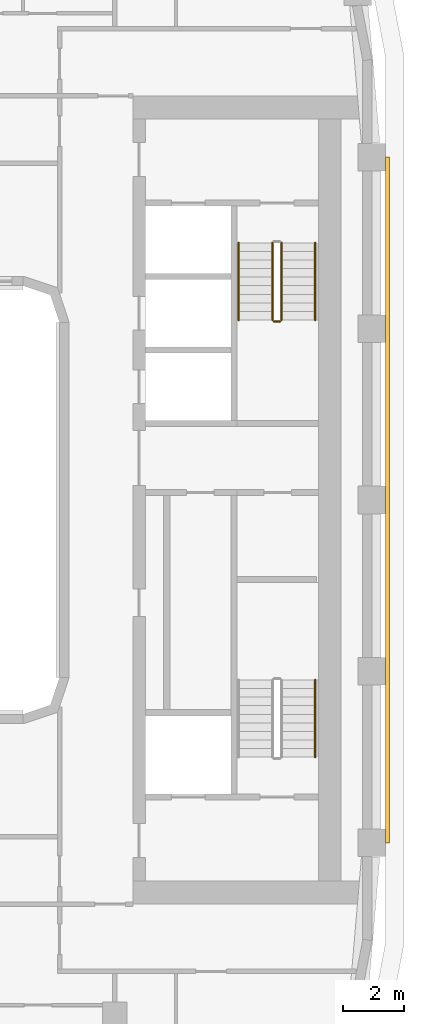
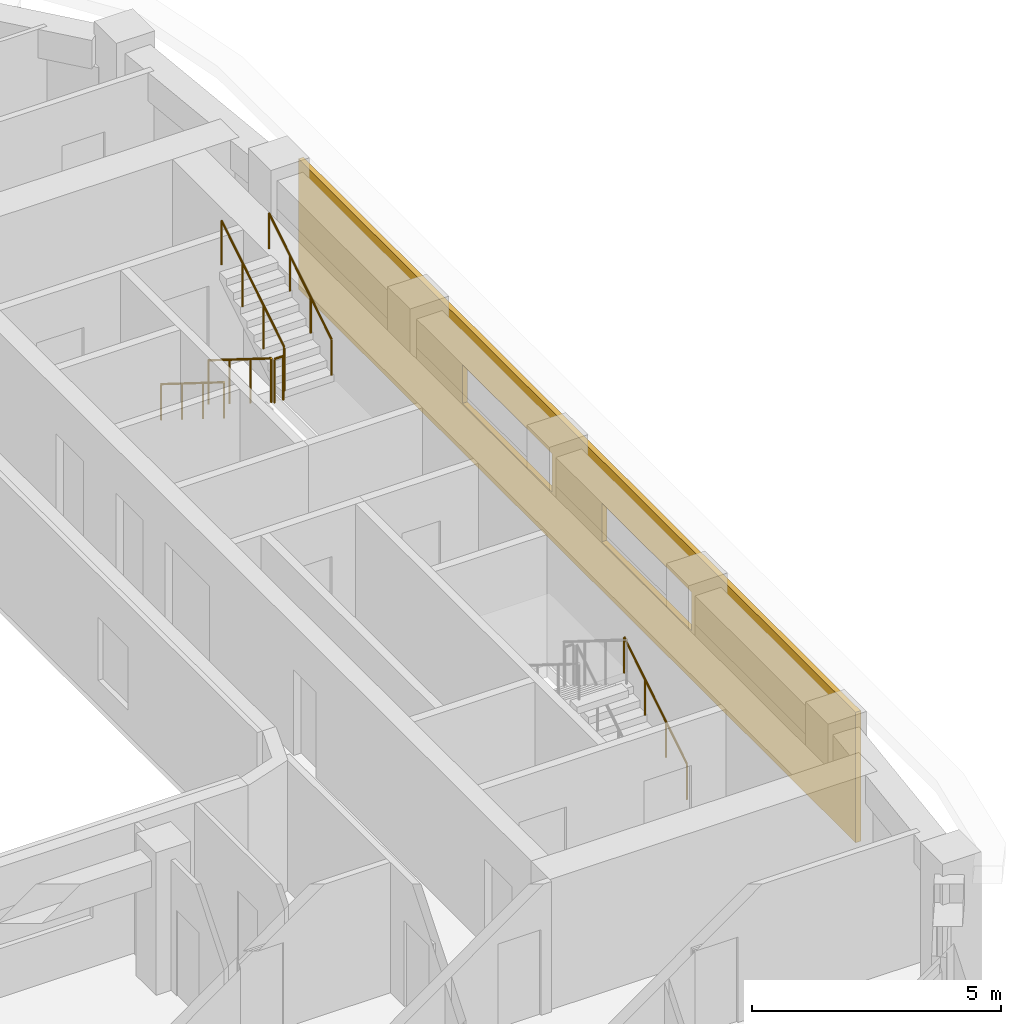
# One storey, part 18 of 21: 6 railings, 1 covering.
"""IFC4 building model written with IfcOpenShell, lengths in metres."""

from ifc_helpers import new_model, si_unit, direction, frame, origin, origin_2d, place, context, subcontext, project, spatial, polyline, circle, outline, extrude, material, layer, layer_set, type_object, element, save


model = new_model("IFC4")

# Units and contexts
model_context = context("Model", 3, precision=1e-05, world=origin(), true_north=direction((0.0, 1.0)))
body_context = subcontext(model_context, "Body", "Model", "MODEL_VIEW")
ifc_project = project(units=[si_unit("LENGTHUNIT", "METRE"), si_unit("AREAUNIT", "SQUARE_METRE"), si_unit("VOLUMEUNIT", "CUBIC_METRE"), si_unit("PLANEANGLEUNIT", "RADIAN"), si_unit("MASSUNIT", "GRAM", prefix="KILO")], contexts=[model_context])

# Site, building, storey
site_placement = place(None, origin())
site = spatial("IfcSite", under=ifc_project, at=site_placement, CompositionType="ELEMENT")
building_placement = place(site_placement, origin())
building = spatial("IfcBuilding", under=site, at=building_placement, Name="Kiln Ring Residences", CompositionType="ELEMENT")
storey_placement = place(building_placement, frame((0.0, 0.0, 202.89990234375)))
storey = spatial("IfcBuildingStorey", under=building, at=storey_placement, Name="L52", CompositionType="ELEMENT", Elevation=202.89990234375)

# Railings
ifc_material_1 = material(Name="Stainless steel", Category="steel")
railing_type_1 = type_object("IfcRailingType", Name="CORE-STAIR-GUARD", PredefinedType="GUARDRAIL", material=ifc_material_1)
railing_1_placement = place(storey_placement, frame((21.949951171875, 8.39990234375, 0.175048828125)))
element("IfcRailing", 1, at=railing_1_placement, inside=storey, type_object=railing_type_1, Name="L52 E-STN stair guard 1", PredefinedType="GUARDRAIL", context=body_context, shape_type="SweptSolid", body=[
    extrude(circle(Radius=0.02392578125, at=origin_2d()), frame((0.0, 0.0, 1.076171875), z_axis=(0.0, -0.848007534815, 0.529984170421), x_axis=(1.0, 0.0, 0.0)), (0.0, 0.0, 1.0), 2.9716796875),
    extrude(circle(Radius=0.02099609375, at=origin_2d()), origin(), (0.0, 0.0, 1.0), 1.052001953125),
    extrude(circle(Radius=0.02099609375, at=origin_2d()), frame((0.0, -0.840087890625, 0.52490234375)), (0.0, 0.0, 1.0), 1.052001953125),
    extrude(circle(Radius=0.02099609375, at=origin_2d()), frame((0.0, -1.679931640625, 1.050048828125)), (0.0, 0.0, 1.0), 1.052001953125),
    extrude(circle(Radius=0.02099609375, at=origin_2d()), frame((0.0, -2.52001953125, 1.574951171875)), (0.0, 0.0, 1.0), 1.052001953125),
])
railing_2_placement = place(storey_placement, frame((22.0, 5.830078125, 1.75)))
element("IfcRailing", 2, at=railing_2_placement, inside=storey, type_object=railing_type_1, Name="L52 E-STN stair guard 2", PredefinedType="GUARDRAIL", context=body_context, shape_type="SweptSolid", body=[
    extrude(circle(Radius=0.02392578125, at=origin_2d()), frame((0.0, 0.0, 1.076171875), z_axis=(1.0, 0.0, 0.0), x_axis=(0.0, 1.0, 0.0)), (0.0, 0.0, 1.0), 0.199951171875),
    extrude(circle(Radius=0.02099609375, at=origin_2d()), origin(), (0.0, 0.0, 1.0), 1.052001953125),
    extrude(circle(Radius=0.02099609375, at=origin_2d()), frame((0.199951171875, 0.0, 0.0)), (0.0, 0.0, 1.0), 1.052001953125),
])
railing_3_placement = place(storey_placement, frame((22.25, 5.8798828125, 1.925048828125)))
element("IfcRailing", 3, at=railing_3_placement, inside=storey, type_object=railing_type_1, Name="L52 E-STN stair guard 3", PredefinedType="GUARDRAIL", context=body_context, shape_type="SweptSolid", body=[
    extrude(circle(Radius=0.02392578125, at=origin_2d()), frame((0.0, 0.0, 1.076171875), z_axis=(0.0, 0.848007534815, 0.529984170421), x_axis=(-1.0, 0.0, 0.0)), (0.0, 0.0, 1.0), 2.9716796875),
    extrude(circle(Radius=0.02099609375, at=origin_2d()), origin(), (0.0, 0.0, 1.0), 1.052001953125),
    extrude(circle(Radius=0.02099609375, at=origin_2d()), frame((0.0, 0.840087890625, 0.52490234375)), (0.0, 0.0, 1.0), 1.052001953125),
    extrude(circle(Radius=0.02099609375, at=origin_2d()), frame((0.0, 1.679931640625, 1.050048828125)), (0.0, 0.0, 1.0), 1.052001953125),
    extrude(circle(Radius=0.02099609375, at=origin_2d()), frame((0.0, 2.52001953125, 1.574951171875)), (0.0, 0.0, 1.0), 1.052001953125),
])
ifc_material_2 = material(Name="Stainless steel", Category="steel")
railing_type_2 = type_object("IfcRailingType", Name="CORE-STAIR-HANDRAIL", PredefinedType="HANDRAIL", material=ifc_material_2)
railing_4_placement = place(storey_placement, frame((20.85009765625, 8.39990234375, 0.175048828125)))
element("IfcRailing", 4, at=railing_4_placement, inside=storey, type_object=railing_type_2, Name="L52 E-STN stair handrail 1", PredefinedType="HANDRAIL", context=body_context, shape_type="SweptSolid", body=[
    extrude(circle(Radius=0.02392578125, at=origin_2d()), frame((0.0, 0.0, 0.8759765625), z_axis=(0.0, -0.848007534815, 0.529984170421), x_axis=(1.0, 0.0, 0.0)), (0.0, 0.0, 1.0), 2.9716796875),
    extrude(circle(Radius=0.02099609375, at=origin_2d()), origin(), (0.0, 0.0, 1.0), 0.851806640625),
    extrude(circle(Radius=0.02099609375, at=origin_2d()), frame((0.0, -0.840087890625, 0.52490234375)), (0.0, 0.0, 1.0), 0.851806640625),
    extrude(circle(Radius=0.02099609375, at=origin_2d()), frame((0.0, -1.679931640625, 1.050048828125)), (0.0, 0.0, 1.0), 0.851806640625),
    extrude(circle(Radius=0.02099609375, at=origin_2d()), frame((0.0, -2.52001953125, 1.574951171875)), (0.0, 0.0, 1.0), 0.851806640625),
])
for number, where, name in (
    (5, (23.35009765625, 5.8798828125, 1.925048828125), "L52 E-STN stair handrail 2"),
    (6, (23.35009765625, -8.39990234375, 0.175048828125), "L52 E-STS stair handrail 1"),
):
    element("IfcRailing", number, at=place(storey_placement, frame(where)), inside=storey, type_object=railing_type_2, Name=name, PredefinedType="HANDRAIL", context=body_context, shape_type="SweptSolid", body=[
        extrude(circle(Radius=0.02392578125, at=origin_2d()), frame((0.0, 0.0, 0.8759765625), z_axis=(0.0, 0.848007534815, 0.529984170421), x_axis=(-1.0, 0.0, 0.0)), (0.0, 0.0, 1.0), 2.9716796875),
        extrude(circle(Radius=0.02099609375, at=origin_2d()), origin(), (0.0, 0.0, 1.0), 0.851806640625),
        extrude(circle(Radius=0.02099609375, at=origin_2d()), frame((0.0, 0.840087890625, 0.52490234375)), (0.0, 0.0, 1.0), 0.851806640625),
        extrude(circle(Radius=0.02099609375, at=origin_2d()), frame((0.0, 1.679931640625, 1.050048828125)), (0.0, 0.0, 1.0), 0.851806640625),
        extrude(circle(Radius=0.02099609375, at=origin_2d()), frame((0.0, 2.52001953125, 1.574951171875)), (0.0, 0.0, 1.0), 0.851806640625),
    ])

# Covering
ifc_material_3 = material(Name="Brick masonry, dark clay brick", Category="masonry")
ifc_layer = layer(ifc_material_3, 0.1201171875)
ifc_layer_set = layer_set([ifc_layer], Name="RAINSCREEN PANEL 120")
covering_type = type_object("IfcCoveringType", Name="RAINSCREEN PANEL 120", PredefinedType="CLADDING", material=ifc_layer_set)
covering_placement = place(storey_placement, frame((25.7099609375, -11.199951171875, 0.0), z_axis=(0.0, 0.0, 1.0), x_axis=(0.0, 1.0, 0.0)))
element("IfcCovering", 7, at=covering_placement, inside=storey, type_object=covering_type, Name="RAINSCREEN L52", PredefinedType="CLADDING", context=body_context, shape_type="SweptSolid", body=[
    extrude(outline(polyline([(0.0, 0.0), (22.39990234375, 0.0), (22.39990234375, 3.2001953125), (0.0, 3.2001953125), (0.0, 0.0)]), holes=[polyline([(10.199951171875, 2.150146484375), (6.60009765625, 2.150146484375), (6.60009765625, 1.2001953125), (10.199951171875, 1.2001953125), (10.199951171875, 2.150146484375)]), polyline([(15.800048828125, 2.150146484375), (12.199951171875, 2.150146484375), (12.199951171875, 1.2001953125), (15.800048828125, 1.2001953125), (15.800048828125, 2.150146484375)])]), frame((0.0, 0.06005859375, 0.0), z_axis=(0.0, -1.0, 0.0), x_axis=(1.0, 0.0, 0.0)), (0.0, 0.0, 1.0), 0.1201171875),
])

save(model, "model.ifc")
